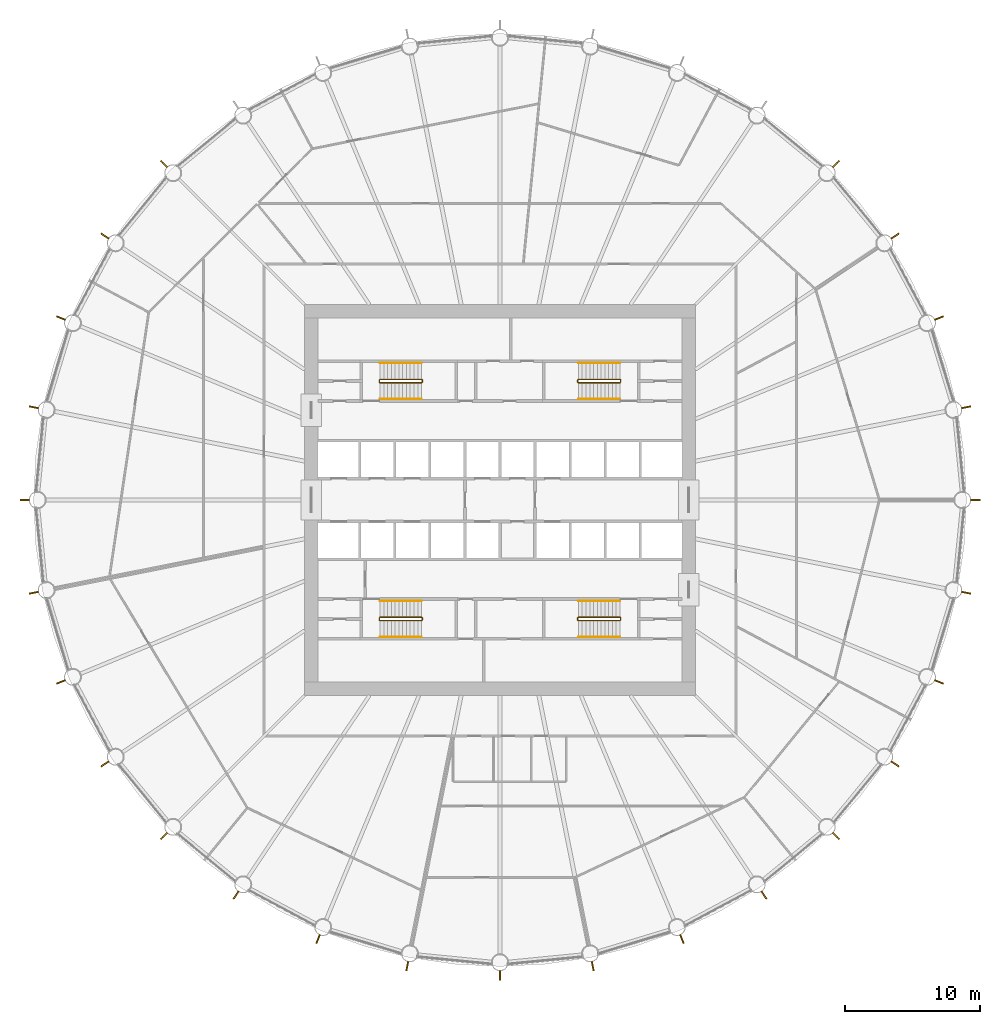
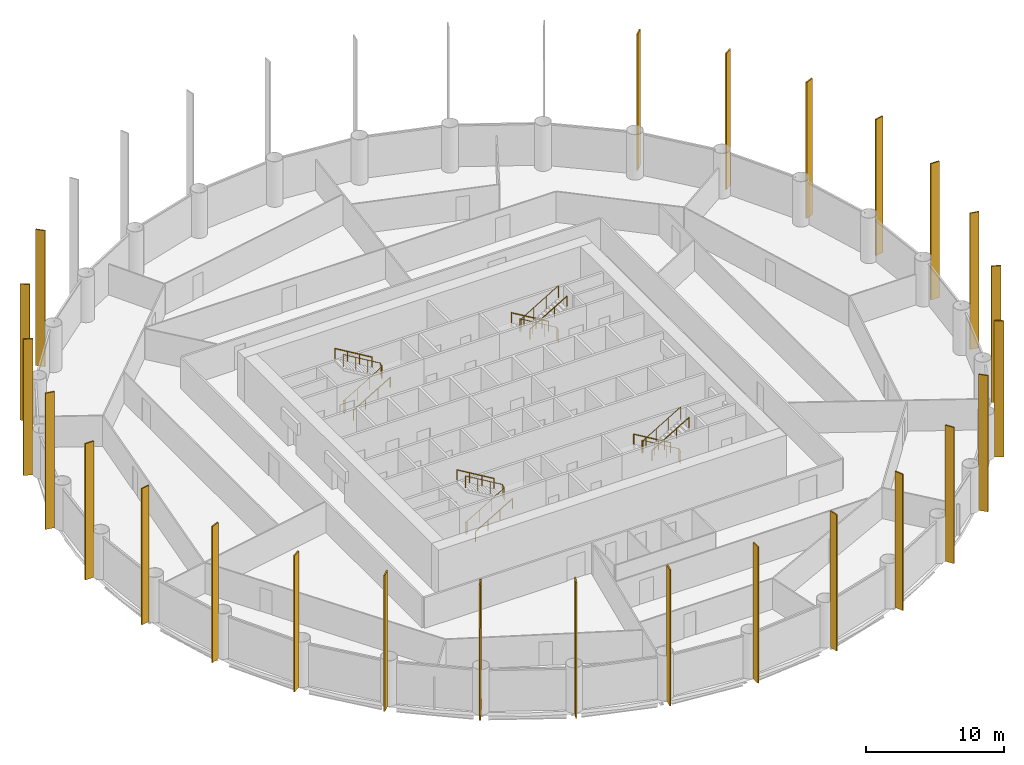
# One storey, part 9 of 10: 25 shading devices, 12 railings.
"""IFC4 building model written with IfcOpenShell, lengths in metres."""

from ifc_helpers import new_model, si_unit, direction, frame, origin, origin_2d, place, context, subcontext, project, spatial, rectangle, circle, extrude, material, material_profile, profile_set, type_object, element, save


model = new_model("IFC4")

# Units and contexts
model_context = context("Model", 3, precision=1e-05, world=origin(), true_north=direction((0.0, 1.0)))
body_context = subcontext(model_context, "Body", "Model", "MODEL_VIEW")
ifc_project = project(units=[si_unit("LENGTHUNIT", "METRE"), si_unit("AREAUNIT", "SQUARE_METRE"), si_unit("VOLUMEUNIT", "CUBIC_METRE"), si_unit("PLANEANGLEUNIT", "RADIAN"), si_unit("MASSUNIT", "GRAM", prefix="KILO")], contexts=[model_context])

# Site, building, storey
site_placement = place(None, origin())
site = spatial("IfcSite", under=ifc_project, at=site_placement, CompositionType="ELEMENT")
building_placement = place(site_placement, origin())
building = spatial("IfcBuilding", under=site, at=building_placement, Name="Corvane Civic Tower", CompositionType="ELEMENT")
storey_placement = place(building_placement, frame((0.0, 0.0, 118.5)))
storey = spatial("IfcBuildingStorey", under=building, at=storey_placement, Name="L27", CompositionType="ELEMENT", Elevation=118.5)

# Railings
ifc_material_1 = material(Name="Steel ASTM A572 Gr 50", Category="steel")
railing_type_1 = type_object("IfcRailingType", Name="ST-GUARD-1100", PredefinedType="GUARDRAIL", material=ifc_material_1)
railing_1_placement = place(storey_placement, frame((8.949951171875, 8.75, 0.0)))
element("IfcRailing", 1, at=railing_1_placement, inside=storey, type_object=railing_type_1, Name="L27 ST1 stair guard 1", PredefinedType="GUARDRAIL", context=body_context, shape_type="SweptSolid", body=[
    extrude(circle(Radius=0.02392578125, at=origin_2d()), frame((0.0, 0.0, 1.076171875), z_axis=(0.0, 1.0, 0.0), x_axis=(-1.0, 0.0, 0.0)), (0.0, 0.0, 1.0), 0.14990234375),
    extrude(circle(Radius=0.02392578125, at=origin_2d()), frame((0.0, 0.14990234375, 1.076171875), z_axis=(-0.27628659633, 0.27628659633, 0.920506074601), x_axis=(-0.707106781187, -0.707106781187, 0.0)), (0.0, 0.0, 1.0), 0.18115234375),
    extrude(circle(Radius=0.02392578125, at=origin_2d()), frame((-0.050048828125, 0.199951171875, 1.24267578125), z_axis=(-0.859290745958, 0.0, 0.51148745235), x_axis=(0.0, -1.0, 0.0)), (0.0, 0.0, 1.0), 3.584228515625),
    extrude(circle(Radius=0.02392578125, at=origin_2d()), frame((-3.1298828125, 0.199951171875, 3.076171875), z_axis=(-0.707106781187, -0.707106781187, 0.0), x_axis=(0.707106781187, -0.707106781187, 0.0)), (0.0, 0.0, 1.0), 0.07080078125),
    extrude(circle(Radius=0.02392578125, at=origin_2d()), frame((-3.179931640625, 0.14990234375, 3.076171875), z_axis=(0.0, -1.0, 0.0), x_axis=(1.0, 0.0, 0.0)), (0.0, 0.0, 1.0), 0.14990234375),
    extrude(circle(Radius=0.02392578125, at=origin_2d()), frame((-3.179931640625, 0.0, 3.076171875), z_axis=(0.27628659633, -0.27628659633, 0.920506074601), x_axis=(0.707106781187, 0.707106781187, 0.0)), (0.0, 0.0, 1.0), 0.18115234375),
    extrude(circle(Radius=0.02392578125, at=origin_2d()), frame((-3.1298828125, -0.050048828125, 3.24267578125), z_axis=(0.859290745958, 0.0, 0.51148745235), x_axis=(0.0, 1.0, 0.0)), (0.0, 0.0, 1.0), 3.584228515625),
    extrude(circle(Radius=0.02099609375, at=origin_2d()), origin(), (0.0, 0.0, 1.0), 1.052001953125),
    extrude(circle(Radius=0.02099609375, at=origin_2d()), frame((0.0, 0.14990234375, 0.0)), (0.0, 0.0, 1.0), 1.052001953125),
    extrude(circle(Radius=0.02099609375, at=origin_2d()), frame((-0.050048828125, 0.199951171875, 0.166748046875)), (0.0, 0.0, 1.0), 1.052001953125),
    extrude(circle(Radius=0.02099609375, at=origin_2d()), frame((-1.07666015625, 0.199951171875, 0.77783203125)), (0.0, 0.0, 1.0), 1.052001953125),
    extrude(circle(Radius=0.02099609375, at=origin_2d()), frame((-2.103271484375, 0.199951171875, 1.388916015625)), (0.0, 0.0, 1.0), 1.052001953125),
    extrude(circle(Radius=0.02099609375, at=origin_2d()), frame((-3.1298828125, 0.199951171875, 2.0)), (0.0, 0.0, 1.0), 1.052001953125),
    extrude(circle(Radius=0.02099609375, at=origin_2d()), frame((-3.179931640625, 0.14990234375, 2.0)), (0.0, 0.0, 1.0), 1.052001953125),
    extrude(circle(Radius=0.02099609375, at=origin_2d()), frame((-3.179931640625, 0.0, 2.0)), (0.0, 0.0, 1.0), 1.052001953125),
    extrude(circle(Radius=0.02099609375, at=origin_2d()), frame((-3.1298828125, -0.050048828125, 2.166748046875)), (0.0, 0.0, 1.0), 1.052001953125),
    extrude(circle(Radius=0.02099609375, at=origin_2d()), frame((-2.103271484375, -0.050048828125, 2.77783203125)), (0.0, 0.0, 1.0), 1.052001953125),
    extrude(circle(Radius=0.02099609375, at=origin_2d()), frame((-1.07666015625, -0.050048828125, 3.388916015625)), (0.0, 0.0, 1.0), 1.052001953125),
    extrude(circle(Radius=0.02099609375, at=origin_2d()), frame((-0.050048828125, -0.050048828125, 4.0)), (0.0, 0.0, 1.0), 1.052001953125),
])
railing_2_placement = place(storey_placement, frame((8.949951171875, -8.89990234375, 0.0)))
element("IfcRailing", 2, at=railing_2_placement, inside=storey, type_object=railing_type_1, Name="L27 ST2 stair guard 1", PredefinedType="GUARDRAIL", context=body_context, shape_type="SweptSolid", body=[
    extrude(circle(Radius=0.02392578125, at=origin_2d()), frame((0.0, 0.0, 1.076171875), z_axis=(0.0, 1.0, 0.0), x_axis=(-1.0, 0.0, 0.0)), (0.0, 0.0, 1.0), 0.14990234375),
    extrude(circle(Radius=0.02392578125, at=origin_2d()), frame((0.0, 0.14990234375, 1.076171875), z_axis=(-0.27628659633, 0.27628659633, 0.920506074601), x_axis=(-0.707106781187, -0.707106781187, 0.0)), (0.0, 0.0, 1.0), 0.18115234375),
    extrude(circle(Radius=0.02392578125, at=origin_2d()), frame((-0.050048828125, 0.199951171875, 1.24267578125), z_axis=(-0.859290745958, 0.0, 0.51148745235), x_axis=(0.0, -1.0, 0.0)), (0.0, 0.0, 1.0), 3.584228515625),
    extrude(circle(Radius=0.02392578125, at=origin_2d()), frame((-3.1298828125, 0.199951171875, 3.076171875), z_axis=(-0.707106781187, -0.707106781187, 0.0), x_axis=(0.707106781187, -0.707106781187, 0.0)), (0.0, 0.0, 1.0), 0.07080078125),
    extrude(circle(Radius=0.02392578125, at=origin_2d()), frame((-3.179931640625, 0.14990234375, 3.076171875), z_axis=(0.0, -1.0, 0.0), x_axis=(1.0, 0.0, 0.0)), (0.0, 0.0, 1.0), 0.14990234375),
    extrude(circle(Radius=0.02392578125, at=origin_2d()), frame((-3.179931640625, 0.0, 3.076171875), z_axis=(0.27628659633, -0.27628659633, 0.920506074601), x_axis=(0.707106781187, 0.707106781187, 0.0)), (0.0, 0.0, 1.0), 0.18115234375),
    extrude(circle(Radius=0.02392578125, at=origin_2d()), frame((-3.1298828125, -0.050048828125, 3.24267578125), z_axis=(0.859290745958, 0.0, 0.51148745235), x_axis=(0.0, 1.0, 0.0)), (0.0, 0.0, 1.0), 3.584228515625),
    extrude(circle(Radius=0.02099609375, at=origin_2d()), origin(), (0.0, 0.0, 1.0), 1.052001953125),
    extrude(circle(Radius=0.02099609375, at=origin_2d()), frame((0.0, 0.14990234375, 0.0)), (0.0, 0.0, 1.0), 1.052001953125),
    extrude(circle(Radius=0.02099609375, at=origin_2d()), frame((-0.050048828125, 0.199951171875, 0.166748046875)), (0.0, 0.0, 1.0), 1.052001953125),
    extrude(circle(Radius=0.02099609375, at=origin_2d()), frame((-1.07666015625, 0.199951171875, 0.77783203125)), (0.0, 0.0, 1.0), 1.052001953125),
    extrude(circle(Radius=0.02099609375, at=origin_2d()), frame((-2.103271484375, 0.199951171875, 1.388916015625)), (0.0, 0.0, 1.0), 1.052001953125),
    extrude(circle(Radius=0.02099609375, at=origin_2d()), frame((-3.1298828125, 0.199951171875, 2.0)), (0.0, 0.0, 1.0), 1.052001953125),
    extrude(circle(Radius=0.02099609375, at=origin_2d()), frame((-3.179931640625, 0.14990234375, 2.0)), (0.0, 0.0, 1.0), 1.052001953125),
    extrude(circle(Radius=0.02099609375, at=origin_2d()), frame((-3.179931640625, 0.0, 2.0)), (0.0, 0.0, 1.0), 1.052001953125),
    extrude(circle(Radius=0.02099609375, at=origin_2d()), frame((-3.1298828125, -0.050048828125, 2.166748046875)), (0.0, 0.0, 1.0), 1.052001953125),
    extrude(circle(Radius=0.02099609375, at=origin_2d()), frame((-2.103271484375, -0.050048828125, 2.77783203125)), (0.0, 0.0, 1.0), 1.052001953125),
    extrude(circle(Radius=0.02099609375, at=origin_2d()), frame((-1.07666015625, -0.050048828125, 3.388916015625)), (0.0, 0.0, 1.0), 1.052001953125),
    extrude(circle(Radius=0.02099609375, at=origin_2d()), frame((-0.050048828125, -0.050048828125, 4.0)), (0.0, 0.0, 1.0), 1.052001953125),
])
railing_3_placement = place(storey_placement, frame((-8.949951171875, -8.75, 0.0)))
element("IfcRailing", 3, at=railing_3_placement, inside=storey, type_object=railing_type_1, Name="L27 ST3 stair guard 1", PredefinedType="GUARDRAIL", context=body_context, shape_type="SweptSolid", body=[
    extrude(circle(Radius=0.02392578125, at=origin_2d()), frame((0.0, 0.0, 1.076171875), z_axis=(0.0, -1.0, 0.0), x_axis=(1.0, 0.0, 0.0)), (0.0, 0.0, 1.0), 0.14990234375),
    extrude(circle(Radius=0.02392578125, at=origin_2d()), frame((0.0, -0.14990234375, 1.076171875), z_axis=(0.27628659633, -0.27628659633, 0.920506074601), x_axis=(0.707106781187, 0.707106781187, 0.0)), (0.0, 0.0, 1.0), 0.18115234375),
    extrude(circle(Radius=0.02392578125, at=origin_2d()), frame((0.050048828125, -0.199951171875, 1.24267578125), z_axis=(0.859290745958, 0.0, 0.51148745235), x_axis=(0.0, 1.0, 0.0)), (0.0, 0.0, 1.0), 3.584228515625),
    extrude(circle(Radius=0.02392578125, at=origin_2d()), frame((3.1298828125, -0.199951171875, 3.076171875), z_axis=(0.707106781187, 0.707106781187, 0.0), x_axis=(-0.707106781187, 0.707106781187, 0.0)), (0.0, 0.0, 1.0), 0.07080078125),
    extrude(circle(Radius=0.02392578125, at=origin_2d()), frame((3.179931640625, -0.14990234375, 3.076171875), z_axis=(0.0, 1.0, 0.0), x_axis=(-1.0, 0.0, 0.0)), (0.0, 0.0, 1.0), 0.14990234375),
    extrude(circle(Radius=0.02392578125, at=origin_2d()), frame((3.179931640625, 0.0, 3.076171875), z_axis=(-0.27628659633, 0.27628659633, 0.920506074601), x_axis=(-0.707106781187, -0.707106781187, 0.0)), (0.0, 0.0, 1.0), 0.18115234375),
    extrude(circle(Radius=0.02392578125, at=origin_2d()), frame((3.1298828125, 0.050048828125, 3.24267578125), z_axis=(-0.859290745958, 0.0, 0.51148745235), x_axis=(0.0, -1.0, 0.0)), (0.0, 0.0, 1.0), 3.584228515625),
    extrude(circle(Radius=0.02099609375, at=origin_2d()), origin(), (0.0, 0.0, 1.0), 1.052001953125),
    extrude(circle(Radius=0.02099609375, at=origin_2d()), frame((0.0, -0.14990234375, 0.0)), (0.0, 0.0, 1.0), 1.052001953125),
    extrude(circle(Radius=0.02099609375, at=origin_2d()), frame((0.050048828125, -0.199951171875, 0.166748046875)), (0.0, 0.0, 1.0), 1.052001953125),
    extrude(circle(Radius=0.02099609375, at=origin_2d()), frame((1.07666015625, -0.199951171875, 0.77783203125)), (0.0, 0.0, 1.0), 1.052001953125),
    extrude(circle(Radius=0.02099609375, at=origin_2d()), frame((2.103271484375, -0.199951171875, 1.388916015625)), (0.0, 0.0, 1.0), 1.052001953125),
    extrude(circle(Radius=0.02099609375, at=origin_2d()), frame((3.1298828125, -0.199951171875, 2.0)), (0.0, 0.0, 1.0), 1.052001953125),
    extrude(circle(Radius=0.02099609375, at=origin_2d()), frame((3.179931640625, -0.14990234375, 2.0)), (0.0, 0.0, 1.0), 1.052001953125),
    extrude(circle(Radius=0.02099609375, at=origin_2d()), frame((3.179931640625, 0.0, 2.0)), (0.0, 0.0, 1.0), 1.052001953125),
    extrude(circle(Radius=0.02099609375, at=origin_2d()), frame((3.1298828125, 0.050048828125, 2.166748046875)), (0.0, 0.0, 1.0), 1.052001953125),
    extrude(circle(Radius=0.02099609375, at=origin_2d()), frame((2.103271484375, 0.050048828125, 2.77783203125)), (0.0, 0.0, 1.0), 1.052001953125),
    extrude(circle(Radius=0.02099609375, at=origin_2d()), frame((1.07666015625, 0.050048828125, 3.388916015625)), (0.0, 0.0, 1.0), 1.052001953125),
    extrude(circle(Radius=0.02099609375, at=origin_2d()), frame((0.050048828125, 0.050048828125, 4.0)), (0.0, 0.0, 1.0), 1.052001953125),
])
railing_4_placement = place(storey_placement, frame((-8.949951171875, 8.89990234375, 0.0)))
element("IfcRailing", 4, at=railing_4_placement, inside=storey, type_object=railing_type_1, Name="L27 ST4 stair guard 1", PredefinedType="GUARDRAIL", context=body_context, shape_type="SweptSolid", body=[
    extrude(circle(Radius=0.02392578125, at=origin_2d()), frame((0.0, 0.0, 1.076171875), z_axis=(0.0, -1.0, 0.0), x_axis=(1.0, 0.0, 0.0)), (0.0, 0.0, 1.0), 0.14990234375),
    extrude(circle(Radius=0.02392578125, at=origin_2d()), frame((0.0, -0.14990234375, 1.076171875), z_axis=(0.27628659633, -0.27628659633, 0.920506074601), x_axis=(0.707106781187, 0.707106781187, 0.0)), (0.0, 0.0, 1.0), 0.18115234375),
    extrude(circle(Radius=0.02392578125, at=origin_2d()), frame((0.050048828125, -0.199951171875, 1.24267578125), z_axis=(0.859290745958, 0.0, 0.51148745235), x_axis=(0.0, 1.0, 0.0)), (0.0, 0.0, 1.0), 3.584228515625),
    extrude(circle(Radius=0.02392578125, at=origin_2d()), frame((3.1298828125, -0.199951171875, 3.076171875), z_axis=(0.707106781187, 0.707106781187, 0.0), x_axis=(-0.707106781187, 0.707106781187, 0.0)), (0.0, 0.0, 1.0), 0.07080078125),
    extrude(circle(Radius=0.02392578125, at=origin_2d()), frame((3.179931640625, -0.14990234375, 3.076171875), z_axis=(0.0, 1.0, 0.0), x_axis=(-1.0, 0.0, 0.0)), (0.0, 0.0, 1.0), 0.14990234375),
    extrude(circle(Radius=0.02392578125, at=origin_2d()), frame((3.179931640625, 0.0, 3.076171875), z_axis=(-0.27628659633, 0.27628659633, 0.920506074601), x_axis=(-0.707106781187, -0.707106781187, 0.0)), (0.0, 0.0, 1.0), 0.18115234375),
    extrude(circle(Radius=0.02392578125, at=origin_2d()), frame((3.1298828125, 0.050048828125, 3.24267578125), z_axis=(-0.859290745958, 0.0, 0.51148745235), x_axis=(0.0, -1.0, 0.0)), (0.0, 0.0, 1.0), 3.584228515625),
    extrude(circle(Radius=0.02099609375, at=origin_2d()), origin(), (0.0, 0.0, 1.0), 1.052001953125),
    extrude(circle(Radius=0.02099609375, at=origin_2d()), frame((0.0, -0.14990234375, 0.0)), (0.0, 0.0, 1.0), 1.052001953125),
    extrude(circle(Radius=0.02099609375, at=origin_2d()), frame((0.050048828125, -0.199951171875, 0.166748046875)), (0.0, 0.0, 1.0), 1.052001953125),
    extrude(circle(Radius=0.02099609375, at=origin_2d()), frame((1.07666015625, -0.199951171875, 0.77783203125)), (0.0, 0.0, 1.0), 1.052001953125),
    extrude(circle(Radius=0.02099609375, at=origin_2d()), frame((2.103271484375, -0.199951171875, 1.388916015625)), (0.0, 0.0, 1.0), 1.052001953125),
    extrude(circle(Radius=0.02099609375, at=origin_2d()), frame((3.1298828125, -0.199951171875, 2.0)), (0.0, 0.0, 1.0), 1.052001953125),
    extrude(circle(Radius=0.02099609375, at=origin_2d()), frame((3.179931640625, -0.14990234375, 2.0)), (0.0, 0.0, 1.0), 1.052001953125),
    extrude(circle(Radius=0.02099609375, at=origin_2d()), frame((3.179931640625, 0.0, 2.0)), (0.0, 0.0, 1.0), 1.052001953125),
    extrude(circle(Radius=0.02099609375, at=origin_2d()), frame((3.1298828125, 0.050048828125, 2.166748046875)), (0.0, 0.0, 1.0), 1.052001953125),
    extrude(circle(Radius=0.02099609375, at=origin_2d()), frame((2.103271484375, 0.050048828125, 2.77783203125)), (0.0, 0.0, 1.0), 1.052001953125),
    extrude(circle(Radius=0.02099609375, at=origin_2d()), frame((1.07666015625, 0.050048828125, 3.388916015625)), (0.0, 0.0, 1.0), 1.052001953125),
    extrude(circle(Radius=0.02099609375, at=origin_2d()), frame((0.050048828125, 0.050048828125, 4.0)), (0.0, 0.0, 1.0), 1.052001953125),
])
ifc_material_2 = material(Name="Steel ASTM A572 Gr 50", Category="steel")
railing_type_2 = type_object("IfcRailingType", Name="ST-HANDRAIL-900", PredefinedType="HANDRAIL", material=ifc_material_2)
railing_5_placement = place(storey_placement, frame((8.89990234375, 10.14990234375, 0.166748046875)))
element("IfcRailing", 5, at=railing_5_placement, inside=storey, type_object=railing_type_2, Name="L27 ST1 stair handrail 1", PredefinedType="HANDRAIL", context=body_context, shape_type="SweptSolid", body=[
    extrude(circle(Radius=0.02392578125, at=origin_2d()), frame((0.0, 0.0, 0.8759765625), z_axis=(-0.859290745958, 0.0, 0.51148745235), x_axis=(0.0, -1.0, 0.0)), (0.0, 0.0, 1.0), 3.584228515625),
    extrude(circle(Radius=0.02099609375, at=origin_2d()), origin(), (0.0, 0.0, 1.0), 0.851806640625),
    extrude(circle(Radius=0.02099609375, at=origin_2d()), frame((-1.026611328125, 0.0, 0.611083984375)), (0.0, 0.0, 1.0), 0.851806640625),
    extrude(circle(Radius=0.02099609375, at=origin_2d()), frame((-2.05322265625, 0.0, 1.22216796875)), (0.0, 0.0, 1.0), 0.851806640625),
    extrude(circle(Radius=0.02099609375, at=origin_2d()), frame((-3.079833984375, 0.0, 1.833251953125)), (0.0, 0.0, 1.0), 0.851806640625),
])
railing_6_placement = place(storey_placement, frame((5.820068359375, 7.5, 2.166748046875)))
element("IfcRailing", 6, at=railing_6_placement, inside=storey, type_object=railing_type_2, Name="L27 ST1 stair handrail 2", PredefinedType="HANDRAIL", context=body_context, shape_type="SweptSolid", body=[
    extrude(circle(Radius=0.02392578125, at=origin_2d()), frame((0.0, 0.0, 0.8759765625), z_axis=(0.859290745958, 0.0, 0.51148745235), x_axis=(0.0, 1.0, 0.0)), (0.0, 0.0, 1.0), 3.584228515625),
    extrude(circle(Radius=0.02099609375, at=origin_2d()), origin(), (0.0, 0.0, 1.0), 0.851806640625),
    extrude(circle(Radius=0.02099609375, at=origin_2d()), frame((1.026611328125, 0.0, 0.611083984375)), (0.0, 0.0, 1.0), 0.851806640625),
    extrude(circle(Radius=0.02099609375, at=origin_2d()), frame((2.05322265625, 0.0, 1.22216796875)), (0.0, 0.0, 1.0), 0.851806640625),
    extrude(circle(Radius=0.02099609375, at=origin_2d()), frame((3.079833984375, 0.0, 1.833251953125)), (0.0, 0.0, 1.0), 0.851806640625),
])
railing_7_placement = place(storey_placement, frame((8.89990234375, -7.5, 0.166748046875)))
element("IfcRailing", 7, at=railing_7_placement, inside=storey, type_object=railing_type_2, Name="L27 ST2 stair handrail 1", PredefinedType="HANDRAIL", context=body_context, shape_type="SweptSolid", body=[
    extrude(circle(Radius=0.02392578125, at=origin_2d()), frame((0.0, 0.0, 0.8759765625), z_axis=(-0.859290745958, 0.0, 0.51148745235), x_axis=(0.0, -1.0, 0.0)), (0.0, 0.0, 1.0), 3.584228515625),
    extrude(circle(Radius=0.02099609375, at=origin_2d()), origin(), (0.0, 0.0, 1.0), 0.851806640625),
    extrude(circle(Radius=0.02099609375, at=origin_2d()), frame((-1.026611328125, 0.0, 0.611083984375)), (0.0, 0.0, 1.0), 0.851806640625),
    extrude(circle(Radius=0.02099609375, at=origin_2d()), frame((-2.05322265625, 0.0, 1.22216796875)), (0.0, 0.0, 1.0), 0.851806640625),
    extrude(circle(Radius=0.02099609375, at=origin_2d()), frame((-3.079833984375, 0.0, 1.833251953125)), (0.0, 0.0, 1.0), 0.851806640625),
])
for number, where, name in (
    (8, (5.820068359375, -10.14990234375, 2.166748046875), "L27 ST2 stair handrail 2"),
    (9, (-8.89990234375, -10.14990234375, 0.166748046875), "L27 ST3 stair handrail 1"),
):
    element("IfcRailing", number, at=place(storey_placement, frame(where)), inside=storey, type_object=railing_type_2, Name=name, PredefinedType="HANDRAIL", context=body_context, shape_type="SweptSolid", body=[
        extrude(circle(Radius=0.02392578125, at=origin_2d()), frame((0.0, 0.0, 0.8759765625), z_axis=(0.859290745958, 0.0, 0.51148745235), x_axis=(0.0, 1.0, 0.0)), (0.0, 0.0, 1.0), 3.584228515625),
        extrude(circle(Radius=0.02099609375, at=origin_2d()), origin(), (0.0, 0.0, 1.0), 0.851806640625),
        extrude(circle(Radius=0.02099609375, at=origin_2d()), frame((1.026611328125, 0.0, 0.611083984375)), (0.0, 0.0, 1.0), 0.851806640625),
        extrude(circle(Radius=0.02099609375, at=origin_2d()), frame((2.05322265625, 0.0, 1.22216796875)), (0.0, 0.0, 1.0), 0.851806640625),
        extrude(circle(Radius=0.02099609375, at=origin_2d()), frame((3.079833984375, 0.0, 1.833251953125)), (0.0, 0.0, 1.0), 0.851806640625),
    ])
railing_8_placement = place(storey_placement, frame((-5.820068359375, -7.5, 2.166748046875)))
element("IfcRailing", 10, at=railing_8_placement, inside=storey, type_object=railing_type_2, Name="L27 ST3 stair handrail 2", PredefinedType="HANDRAIL", context=body_context, shape_type="SweptSolid", body=[
    extrude(circle(Radius=0.02392578125, at=origin_2d()), frame((0.0, 0.0, 0.8759765625), z_axis=(-0.859290745958, 0.0, 0.51148745235), x_axis=(0.0, -1.0, 0.0)), (0.0, 0.0, 1.0), 3.584228515625),
    extrude(circle(Radius=0.02099609375, at=origin_2d()), origin(), (0.0, 0.0, 1.0), 0.851806640625),
    extrude(circle(Radius=0.02099609375, at=origin_2d()), frame((-1.026611328125, 0.0, 0.611083984375)), (0.0, 0.0, 1.0), 0.851806640625),
    extrude(circle(Radius=0.02099609375, at=origin_2d()), frame((-2.05322265625, 0.0, 1.22216796875)), (0.0, 0.0, 1.0), 0.851806640625),
    extrude(circle(Radius=0.02099609375, at=origin_2d()), frame((-3.079833984375, 0.0, 1.833251953125)), (0.0, 0.0, 1.0), 0.851806640625),
])
railing_9_placement = place(storey_placement, frame((-8.89990234375, 7.5, 0.166748046875)))
element("IfcRailing", 11, at=railing_9_placement, inside=storey, type_object=railing_type_2, Name="L27 ST4 stair handrail 1", PredefinedType="HANDRAIL", context=body_context, shape_type="SweptSolid", body=[
    extrude(circle(Radius=0.02392578125, at=origin_2d()), frame((0.0, 0.0, 0.8759765625), z_axis=(0.859290745958, 0.0, 0.51148745235), x_axis=(0.0, 1.0, 0.0)), (0.0, 0.0, 1.0), 3.584228515625),
    extrude(circle(Radius=0.02099609375, at=origin_2d()), origin(), (0.0, 0.0, 1.0), 0.851806640625),
    extrude(circle(Radius=0.02099609375, at=origin_2d()), frame((1.026611328125, 0.0, 0.611083984375)), (0.0, 0.0, 1.0), 0.851806640625),
    extrude(circle(Radius=0.02099609375, at=origin_2d()), frame((2.05322265625, 0.0, 1.22216796875)), (0.0, 0.0, 1.0), 0.851806640625),
    extrude(circle(Radius=0.02099609375, at=origin_2d()), frame((3.079833984375, 0.0, 1.833251953125)), (0.0, 0.0, 1.0), 0.851806640625),
])
railing_10_placement = place(storey_placement, frame((-5.820068359375, 10.14990234375, 2.166748046875)))
element("IfcRailing", 12, at=railing_10_placement, inside=storey, type_object=railing_type_2, Name="L27 ST4 stair handrail 2", PredefinedType="HANDRAIL", context=body_context, shape_type="SweptSolid", body=[
    extrude(circle(Radius=0.02392578125, at=origin_2d()), frame((0.0, 0.0, 0.8759765625), z_axis=(-0.859290745958, 0.0, 0.51148745235), x_axis=(0.0, -1.0, 0.0)), (0.0, 0.0, 1.0), 3.584228515625),
    extrude(circle(Radius=0.02099609375, at=origin_2d()), origin(), (0.0, 0.0, 1.0), 0.851806640625),
    extrude(circle(Radius=0.02099609375, at=origin_2d()), frame((-1.026611328125, 0.0, 0.611083984375)), (0.0, 0.0, 1.0), 0.851806640625),
    extrude(circle(Radius=0.02099609375, at=origin_2d()), frame((-2.05322265625, 0.0, 1.22216796875)), (0.0, 0.0, 1.0), 0.851806640625),
    extrude(circle(Radius=0.02099609375, at=origin_2d()), frame((-3.079833984375, 0.0, 1.833251953125)), (0.0, 0.0, 1.0), 0.851806640625),
])

# Shading devices
ifc_material_3 = material(Name="Anodised aluminium bronze", Category="aluminium")
ifc_material_profile = material_profile(ifc_material_3, rectangle(XDim=0.10009765625, YDim=0.699951171875, at=origin_2d()), Name="TOWER FIN STACK 100x700 BRONZE")
ifc_profile_set = profile_set([ifc_material_profile], Name="Anodised aluminium bronze")
shading_device_type = type_object("IfcShadingDeviceType", Name="TOWER FIN STACK 100x700 BRONZE", PredefinedType="USERDEFINED", material=ifc_profile_set)
for number, where, z_axis, x_axis, name in (
    (13, (24.928955078125, 24.928955078125, 0.0), (0.0, 0.0, 1.0), (0.707106781187, -0.707106781187, 0.0), "Fin 05 L27 to L29"),
    (14, (29.3134765625, 19.586669921875, 0.0), (0.0, 0.0, 1.0), (0.55557023302, -0.831469612303, 0.0), "Fin 06 L27 to L29"),
    (15, (32.5712890625, 13.491455078125, 0.0), (0.0, 0.0, 1.0), (0.382683432365, -0.923879532511, 0.0), "Fin 07 L27 to L29"),
    (16, (34.57763671875, 6.8779296875, 0.0), (0.0, 0.0, 1.0), (0.195090322016, -0.980785280403, 0.0), "Fin 08 L27 to L29"),
    (17, (35.2548828125, 0.0, 0.0), (0.0, 0.0, 1.0), (0.0, -1.0, 0.0), "Fin 09 L27 to L29"),
    (18, (34.57763671875, -6.8779296875, 0.0), (0.0, 0.0, 1.0), (-0.195090322016, -0.980785280403, 0.0), "Fin 10 L27 to L29"),
    (19, (32.5712890625, -13.491455078125, 0.0), (0.0, 0.0, 1.0), (-0.382683432365, -0.923879532511, 0.0), "Fin 11 L27 to L29"),
    (20, (29.3134765625, -19.586669921875, 0.0), (0.0, 0.0, 1.0), (-0.55557023302, -0.831469612303, 0.0), "Fin 12 L27 to L29"),
    (21, (24.928955078125, -24.928955078125, 0.0), (0.0, 0.0, 1.0), (-0.707106781187, -0.707106781187, 0.0), "Fin 13 L27 to L29"),
    (22, (19.586669921875, -29.3134765625, 0.0), (0.0, 0.0, 1.0), (-0.831469612303, -0.55557023302, 0.0), "Fin 14 L27 to L29"),
    (23, (13.491455078125, -32.5712890625, 0.0), (0.0, 0.0, 1.0), (-0.923879532511, -0.382683432365, 0.0), "Fin 15 L27 to L29"),
    (24, (6.8779296875, -34.57763671875, 0.0), (0.0, 0.0, 1.0), (-0.980785280403, -0.195090322016, 0.0), "Fin 16 L27 to L29"),
    (25, (0.0, -35.2548828125, 0.0), (0.0, 0.0, 1.0), (-1.0, 0.0, 0.0), "Fin 17 L27 to L29"),
    (26, (-6.8779296875, -34.57763671875, 0.0), (0.0, 0.0, 1.0), (-0.980785280403, 0.195090322016, 0.0), "Fin 18 L27 to L29"),
    (27, (-13.491455078125, -32.5712890625, 0.0), (0.0, 0.0, 1.0), (-0.923879532511, 0.382683432365, 0.0), "Fin 19 L27 to L29"),
    (28, (-19.586669921875, -29.3134765625, 0.0), (0.0, 0.0, 1.0), (-0.831469612303, 0.55557023302, 0.0), "Fin 20 L27 to L29"),
    (29, (-24.928955078125, -24.928955078125, 0.0), (0.0, 0.0, 1.0), (-0.707106781187, 0.707106781187, 0.0), "Fin 21 L27 to L29"),
    (30, (-29.3134765625, -19.586669921875, 0.0), (0.0, 0.0, 1.0), (-0.55557023302, 0.831469612303, 0.0), "Fin 22 L27 to L29"),
    (31, (-32.5712890625, -13.491455078125, 0.0), (0.0, 0.0, 1.0), (-0.382683432365, 0.923879532511, 0.0), "Fin 23 L27 to L29"),
    (32, (-34.57763671875, -6.8779296875, 0.0), (0.0, 0.0, 1.0), (-0.195090322016, 0.980785280403, 0.0), "Fin 24 L27 to L29"),
    (33, (-35.2548828125, 0.0, 0.0), (0.0, 0.0, 1.0), (0.0, 1.0, 0.0), "Fin 25 L27 to L29"),
    (34, (-34.57763671875, 6.8779296875, 0.0), (0.0, 0.0, 1.0), (0.195090322016, 0.980785280403, 0.0), "Fin 26 L27 to L29"),
    (35, (-32.5712890625, 13.491455078125, 0.0), (0.0, 0.0, 1.0), (0.382683432365, 0.923879532511, 0.0), "Fin 27 L27 to L29"),
    (36, (-29.3134765625, 19.586669921875, 0.0), (0.0, 0.0, 1.0), (0.55557023302, 0.831469612303, 0.0), "Fin 28 L27 to L29"),
    (37, (-24.928955078125, 24.928955078125, 0.0), (0.0, 0.0, 1.0), (0.707106781187, 0.707106781187, 0.0), "Fin 29 L27 to L29"),
):
    element("IfcShadingDevice", number, at=place(storey_placement, frame(where, z_axis=z_axis, x_axis=x_axis)), inside=storey, type_object=shading_device_type, Name=name, ObjectType="FIN", PredefinedType="USERDEFINED", context=body_context, shape_type="SweptSolid", body=[
        extrude(rectangle(XDim=0.10009765625, YDim=0.699951171875, at=origin_2d()), origin(), (0.0, 0.0, 1.0), 12.0),
    ])

save(model, "model.ifc")
